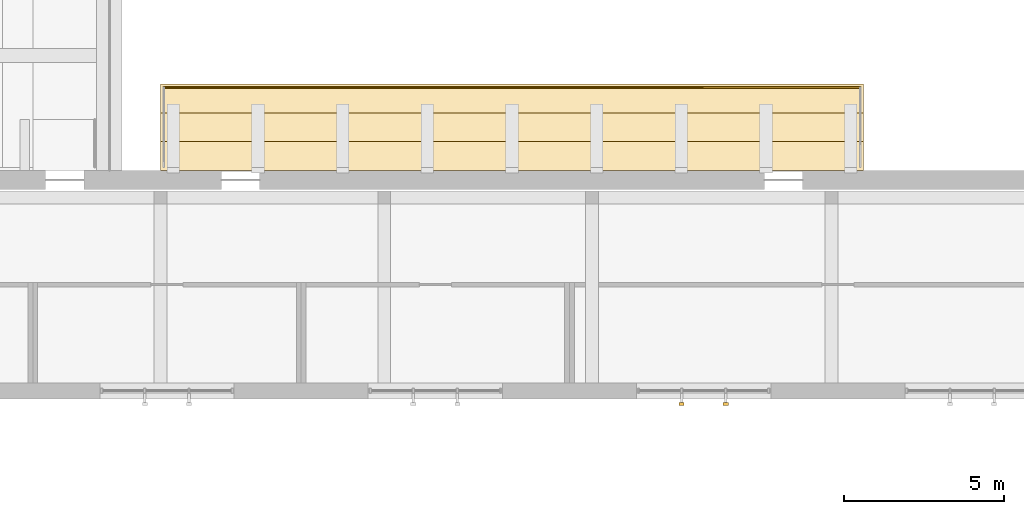
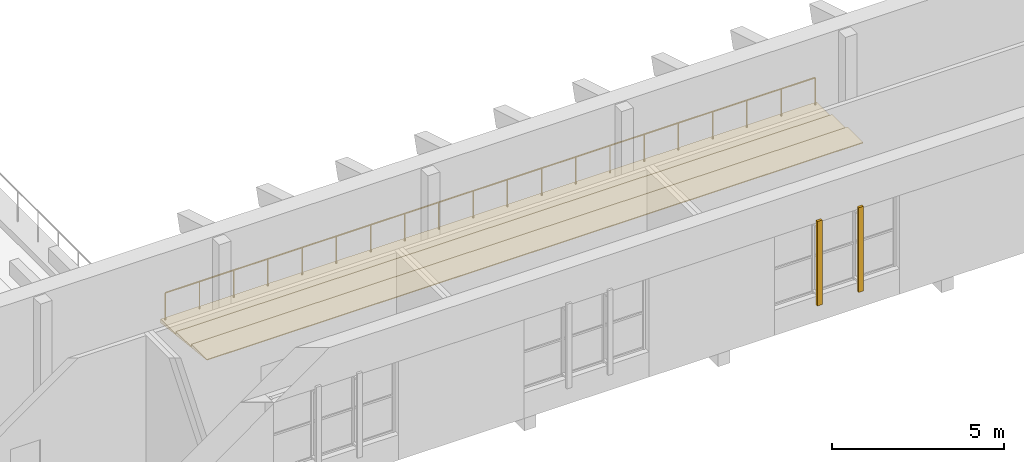
# One storey, part 112 of 127: 2 shading devices, 1 covering, 1 railing.
"""IFC4 building model written with IfcOpenShell, lengths in metres."""

from ifc_helpers import new_model, si_unit, direction, frame, origin, origin_2d, place, context, subcontext, project, spatial, polyline, rectangle, circle, outline, extrude, material, layer, layer_set, type_object, element, save


model = new_model("IFC4")

# Units and contexts
model_context = context("Model", 3, precision=1e-05, world=origin(), true_north=direction((0.0, 1.0)))
body_context = subcontext(model_context, "Body", "Model", "MODEL_VIEW")
ifc_project = project(units=[si_unit("LENGTHUNIT", "METRE"), si_unit("AREAUNIT", "SQUARE_METRE"), si_unit("VOLUMEUNIT", "CUBIC_METRE"), si_unit("PLANEANGLEUNIT", "RADIAN"), si_unit("MASSUNIT", "GRAM", prefix="KILO")], contexts=[model_context])

# Site, building, storey
site_placement = place(None, origin())
site = spatial("IfcSite", under=ifc_project, at=site_placement, CompositionType="ELEMENT")
building_placement = place(site_placement, origin())
building = spatial("IfcBuilding", under=site, at=building_placement, Name="Ljudholm Concert House", CompositionType="ELEMENT")
storey_placement = place(building_placement, frame((0.0, 0.0, 5.39990234375)))
storey = spatial("IfcBuildingStorey", under=building, at=storey_placement, Name="L01", CompositionType="ELEMENT", Elevation=5.39990234375)

# Shading devices
ifc_material_1 = material(Name="Aluminium extrusion with timber-grain PVDF finish", Category="aluminium")
shading_device_type = type_object("IfcShadingDeviceType", Name="FACADE FIN 80x160", PredefinedType="SHUTTER", material=ifc_material_1)
for number, where, z_axis, x_axis, name in (
    (1, (66.31005859375, 53.989990234375, 0.7001953125), (0.0, 0.0, 1.0), (0.0, -1.0, 0.0), "Facade fin"),
    (2, (67.68994140625, 53.989990234375, 0.7001953125), (0.0, 0.0, 1.0), (0.0, -1.0, 0.0), "Facade fin"),
):
    element("IfcShadingDevice", number, at=place(storey_placement, frame(where, z_axis=z_axis, x_axis=x_axis)), inside=storey, type_object=shading_device_type, Name=name, PredefinedType="SHUTTER", context=body_context, shape_type="SweptSolid", body=[
        extrude(rectangle(XDim=0.080078125, YDim=0.159912109375, at=origin_2d()), origin(), (0.0, 0.0, 1.0), 3.0),
    ])

# Railing
ifc_material_2 = material(Name="Steel ASTM A36", Category="steel")
railing_type = type_object("IfcRailingType", Name="GUARD 1100", PredefinedType="GUARDRAIL", material=ifc_material_2)
railing_placement = place(storey_placement, frame((50.10009765625, 63.89990234375, -0.288818359375)))
element("IfcRailing", 3, at=railing_placement, inside=storey, type_object=railing_type, Name="Gallery guard", PredefinedType="GUARDRAIL", context=body_context, shape_type="SweptSolid", body=[
    extrude(circle(Radius=0.02490234375, at=origin_2d()), frame((0.0, 0.0, 1.0751953125), z_axis=(1.0, 0.0, 0.0), x_axis=(0.0, 1.0, 0.0)), (0.0, 0.0, 1.0), 21.7998046875),
    extrude(circle(Radius=0.02099609375, at=origin_2d()), origin(), (0.0, 0.0, 1.0), 1.050048828125),
    extrude(circle(Radius=0.02099609375, at=origin_2d()), frame((1.1474609375, 0.0, 0.0)), (0.0, 0.0, 1.0), 1.050048828125),
    extrude(circle(Radius=0.02099609375, at=origin_2d()), frame((2.294677734375, 0.0, 0.0)), (0.0, 0.0, 1.0), 1.050048828125),
    extrude(circle(Radius=0.02099609375, at=origin_2d()), frame((3.442138671875, 0.0, 0.0)), (0.0, 0.0, 1.0), 1.050048828125),
    extrude(circle(Radius=0.02099609375, at=origin_2d()), frame((4.58935546875, 0.0, 0.0)), (0.0, 0.0, 1.0), 1.050048828125),
    extrude(circle(Radius=0.02099609375, at=origin_2d()), frame((5.73681640625, 0.0, 0.0)), (0.0, 0.0, 1.0), 1.050048828125),
    extrude(circle(Radius=0.02099609375, at=origin_2d()), frame((6.884033203125, 0.0, 0.0)), (0.0, 0.0, 1.0), 1.050048828125),
    extrude(circle(Radius=0.02099609375, at=origin_2d()), frame((8.031494140625, 0.0, 0.0)), (0.0, 0.0, 1.0), 1.050048828125),
    extrude(circle(Radius=0.02099609375, at=origin_2d()), frame((9.178955078125, 0.0, 0.0)), (0.0, 0.0, 1.0), 1.050048828125),
    extrude(circle(Radius=0.02099609375, at=origin_2d()), frame((10.326171875, 0.0, 0.0)), (0.0, 0.0, 1.0), 1.050048828125),
    extrude(circle(Radius=0.02099609375, at=origin_2d()), frame((11.4736328125, 0.0, 0.0)), (0.0, 0.0, 1.0), 1.050048828125),
    extrude(circle(Radius=0.02099609375, at=origin_2d()), frame((12.620849609375, 0.0, 0.0)), (0.0, 0.0, 1.0), 1.050048828125),
    extrude(circle(Radius=0.02099609375, at=origin_2d()), frame((13.768310546875, 0.0, 0.0)), (0.0, 0.0, 1.0), 1.050048828125),
    extrude(circle(Radius=0.02099609375, at=origin_2d()), frame((14.915771484375, 0.0, 0.0)), (0.0, 0.0, 1.0), 1.050048828125),
    extrude(circle(Radius=0.02099609375, at=origin_2d()), frame((16.06298828125, 0.0, 0.0)), (0.0, 0.0, 1.0), 1.050048828125),
    extrude(circle(Radius=0.02099609375, at=origin_2d()), frame((17.21044921875, 0.0, 0.0)), (0.0, 0.0, 1.0), 1.050048828125),
    extrude(circle(Radius=0.02099609375, at=origin_2d()), frame((18.357666015625, 0.0, 0.0)), (0.0, 0.0, 1.0), 1.050048828125),
    extrude(circle(Radius=0.02099609375, at=origin_2d()), frame((19.505126953125, 0.0, 0.0)), (0.0, 0.0, 1.0), 1.050048828125),
    extrude(circle(Radius=0.02099609375, at=origin_2d()), frame((20.65234375, 0.0, 0.0)), (0.0, 0.0, 1.0), 1.050048828125),
    extrude(circle(Radius=0.02099609375, at=origin_2d()), frame((21.7998046875, 0.0, 0.0)), (0.0, 0.0, 1.0), 1.050048828125),
])

# Covering
ifc_material_3 = material(Name="Timber seating tread", Category="wood")
ifc_layer = layer(ifc_material_3, 0.030029296875)
ifc_layer_set = layer_set([ifc_layer], Name="Timber seating tread")
covering_type = type_object("IfcCoveringType", Name="TIMBER SEATING TREAD FLOOR FINISH 30", PredefinedType="FLOORING", material=ifc_layer_set)
covering_placement = place(storey_placement, frame((61.0, 64.0, -5.39990234375), z_axis=(0.0, 0.0, 1.0), x_axis=(0.0, -1.0, 0.0)))
element("IfcCovering", 4, at=covering_placement, inside=storey, type_object=covering_type, Name="Lower gallery South seating steps", PredefinedType="FLOORING", context=body_context, shape_type="SweptSolid", body=[
    extrude(outline(polyline([(0.0, 5.10009765625), (2.699951171875, 5.39990234375), (2.699951171875, 5.429931640625), (1.800048828125, 5.429931640625), (1.800048828125, 5.330078125), (0.89990234375, 5.330078125), (0.89990234375, 5.22998046875), (0.0, 5.22998046875), (0.0, 5.10009765625)])), frame((0.0, 11.0, 0.0), z_axis=(0.0, -1.0, 0.0), x_axis=(1.0, 0.0, 0.0)), (0.0, 0.0, 1.0), 22.0),
])

save(model, "model.ifc")
